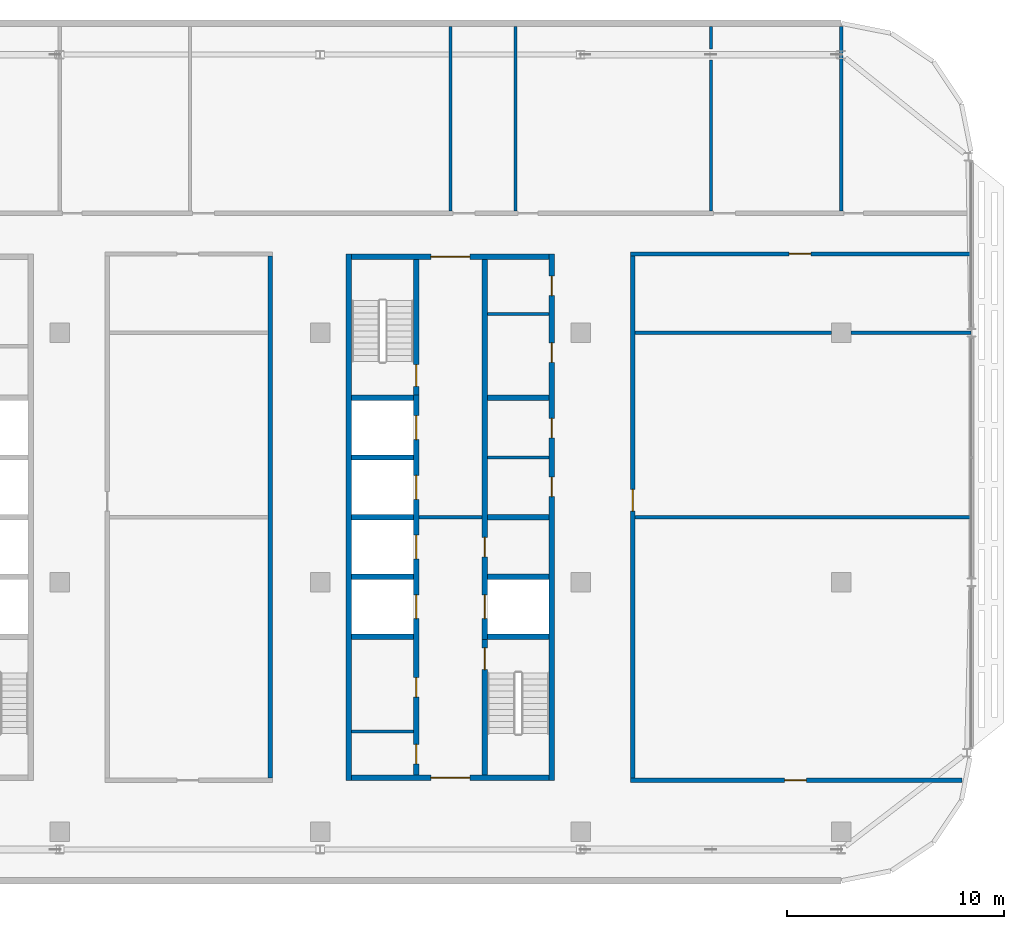
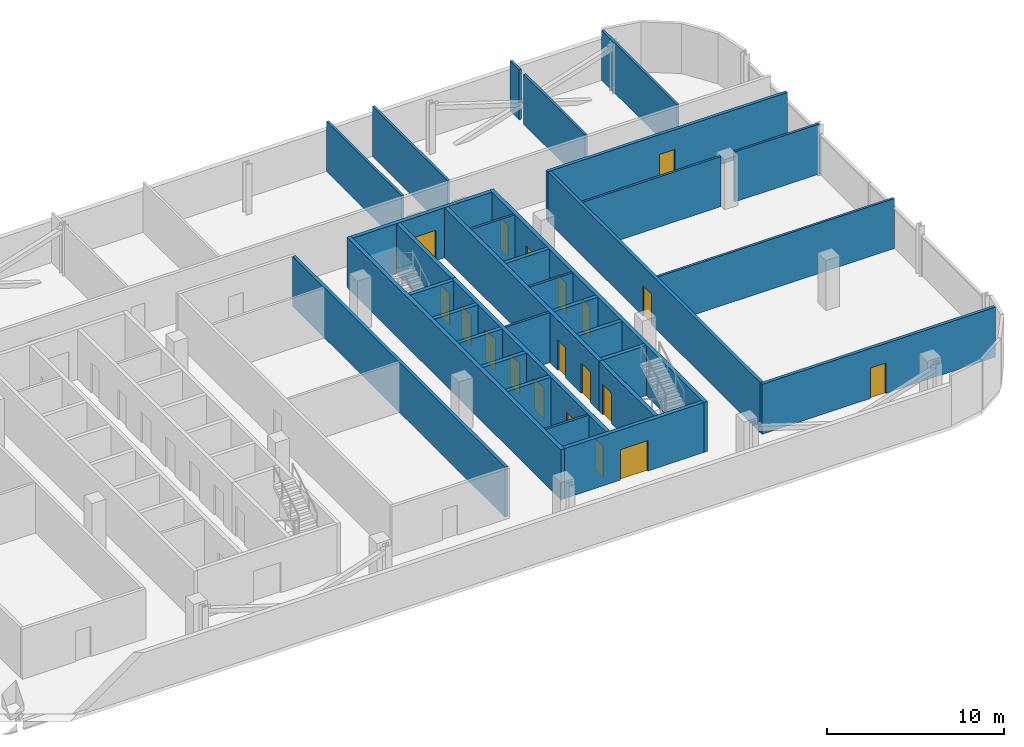
# One storey, part 18 of 28: 33 walls, 19 doors, 19 openings.
"""IFC4 building model written with IfcOpenShell, lengths in metres."""

from ifc_helpers import new_model, si_unit, direction, frame, frame_2d, origin, place, context, subcontext, project, spatial, rectangle, extrude, material, layer, layer_set, type_object, element, fill, save


model = new_model("IFC4")

# Units and contexts
model_context = context("Model", 3, precision=1e-05, world=origin(), true_north=direction((0.0, 1.0)))
body_context = subcontext(model_context, "Body", "Model", "MODEL_VIEW")
ifc_project = project(units=[si_unit("LENGTHUNIT", "METRE"), si_unit("AREAUNIT", "SQUARE_METRE"), si_unit("VOLUMEUNIT", "CUBIC_METRE"), si_unit("PLANEANGLEUNIT", "RADIAN"), si_unit("MASSUNIT", "GRAM", prefix="KILO")], contexts=[model_context])

# Site, building, storey
site_placement = place(None, origin())
site = spatial("IfcSite", under=ifc_project, at=site_placement, CompositionType="ELEMENT")
building_placement = place(site_placement, origin())
building = spatial("IfcBuilding", under=site, at=building_placement, Name="Mahtab Terrace Research Tower", CompositionType="ELEMENT")
storey_placement = place(building_placement, frame((0.0, 0.0, 267.10009765625)))
storey = spatial("IfcBuildingStorey", under=building, at=storey_placement, Name="L65", CompositionType="ELEMENT", Elevation=267.10009765625)

# Walls
ifc_material_1 = material(Name="Gypsum board partition")
ifc_layer_1 = layer(ifc_material_1, 0.14990234375)
ifc_layer_set_1 = layer_set([ifc_layer_1], Name="Core partition 150")
wall_type_1 = type_object("IfcWallType", Name="Core partition 150", PredefinedType="PARTITIONING", material=ifc_layer_set_1)
wall_1_placement = place(storey_placement, frame((22.550048828125, 3.0, 0.0), z_axis=(0.0, 0.0, 1.0), x_axis=(1.0, 0.0, 0.0)))
element("IfcWall", 1, at=wall_1_placement, inside=storey, type_object=wall_type_1, Name="Core wall C ffl", PredefinedType="PARTITIONING", context=body_context, shape_type="SweptSolid", body=[
    extrude(rectangle(XDim=2.89990234375, YDim=0.14990234375, at=frame_2d((1.449951171875, 0.0))), origin(), (0.0, 0.0, 1.0), 3.4599609375),
])
for number, where, z_axis, x_axis, name in (
    (2, (25.699951171875, 5.75, 0.0), (0.0, 0.0, 1.0), (1.0, 0.0, 0.0), "Core wall C pEL275"),
    (3, (19.449951171875, -6.875, 0.0), (0.0, 0.0, 1.0), (1.0, 0.0, 0.0), "Core wall C pWS-988"),
    (4, (25.699951171875, 12.35498046875, 0.0), (0.0, 0.0, 1.0), (1.0, 0.0, 0.0), "Core wall C pEN936"),
):
    element("IfcWall", number, at=place(storey_placement, frame(where, z_axis=z_axis, x_axis=x_axis)), inside=storey, type_object=wall_type_1, Name=name, PredefinedType="PARTITIONING", context=body_context, shape_type="SweptSolid", body=[
        extrude(rectangle(XDim=2.85009765625, YDim=0.14990234375, at=frame_2d((1.425048828125, 0.0))), origin(), (0.0, 0.0, 1.0), 3.4599609375),
    ])
ifc_material_2 = material(Name="Concrete C70/85", Category="concrete")
ifc_layer_2 = layer(ifc_material_2, 0.25)
ifc_layer_set_2 = layer_set([ifc_layer_2], Name="Core wall 250")
wall_type_2 = type_object("IfcWallType", Name="Core wall 250", PredefinedType="SOLIDWALL", material=ifc_layer_set_2)
wall_2_placement = place(storey_placement, frame((19.324951171875, 15.125, 0.0), z_axis=(0.0, 0.0, 1.0), x_axis=(0.0, -1.0, 0.0)))
element("IfcWall", 5, at=wall_2_placement, inside=storey, type_object=wall_type_2, Name="Core wall C outerW", PredefinedType="SOLIDWALL", context=body_context, shape_type="SweptSolid", body=[
    extrude(rectangle(XDim=24.25, YDim=0.25, at=frame_2d((12.125, 0.0))), origin(), (0.0, 0.0, 1.0), 3.4599609375),
])

# Wall, openings, doors
wall_3_placement = place(storey_placement, frame((28.675048828125, -9.125, 0.0), z_axis=(0.0, 0.0, 1.0), x_axis=(0.0, 1.0, 0.0)))
wall_3 = element("IfcWall", 6, at=wall_3_placement, inside=storey, type_object=wall_type_2, Name="Core wall C outerE", PredefinedType="SOLIDWALL", context=body_context, shape_type="SweptSolid", body=[
    extrude(rectangle(XDim=24.25, YDim=0.25, at=frame_2d((12.125, 0.0))), origin(), (0.0, 0.0, 1.0), 3.4599609375),
])
opening_1_placement = place(wall_3_placement, frame((13.074951171875, 0.0, 0.0)))
opening_1 = element("IfcOpeningElement", 7, at=opening_1_placement, cuts=wall_3, Name="Opening C-R2", PredefinedType="OPENING", context=body_context, shape_type="SweptSolid", body=[
    extrude(rectangle(XDim=0.89990234375, YDim=2.10009765625, at=frame_2d((0.449951171875, 1.050048828125))), frame((0.0, 0.135009765625, 0.0), z_axis=(0.0, -1.0, 0.0), x_axis=(1.0, 0.0, 0.0)), (0.0, 0.0, 1.0), 0.27001953125),
])
opening_2_placement = place(wall_3_placement, frame((15.77490234375, 0.0, 0.0)))
opening_2 = element("IfcOpeningElement", 8, at=opening_2_placement, cuts=wall_3, Name="Opening C-R3", PredefinedType="OPENING", context=body_context, shape_type="SweptSolid", body=[
    extrude(rectangle(XDim=0.89990234375, YDim=2.10009765625, at=frame_2d((0.449951171875, 1.050048828125))), frame((0.0, 0.135009765625, 0.0), z_axis=(0.0, -1.0, 0.0), x_axis=(1.0, 0.0, 0.0)), (0.0, 0.0, 1.0), 0.27001953125),
])
opening_3_placement = place(wall_3_placement, frame((19.25244140625, 0.0, 0.0)))
opening_3 = element("IfcOpeningElement", 9, at=opening_3_placement, cuts=wall_3, Name="Opening C-R6", PredefinedType="OPENING", context=body_context, shape_type="SweptSolid", body=[
    extrude(rectangle(XDim=0.89990234375, YDim=2.10009765625, at=frame_2d((0.449951171875, 1.050048828125))), frame((0.0, 0.135009765625, 0.0), z_axis=(0.0, -1.0, 0.0), x_axis=(1.0, 0.0, 0.0)), (0.0, 0.0, 1.0), 0.27001953125),
])
opening_4_placement = place(wall_3_placement, frame((22.327392578125, 0.0, 0.0)))
opening_4 = element("IfcOpeningElement", 10, at=opening_4_placement, cuts=wall_3, Name="Opening C-R7", PredefinedType="OPENING", context=body_context, shape_type="SweptSolid", body=[
    extrude(rectangle(XDim=0.89990234375, YDim=2.10009765625, at=frame_2d((0.449951171875, 1.050048828125))), frame((0.0, 0.135009765625, 0.0), z_axis=(0.0, -1.0, 0.0), x_axis=(1.0, 0.0, 0.0)), (0.0, 0.0, 1.0), 0.27001953125),
])
ifc_material_3 = material(Name="Steel fire door", Category="steel")
door_type_1 = type_object("IfcDoorType", Name="Room door 900x2100 1 HR", OperationType="NOTDEFINED", PredefinedType="DOOR", material=ifc_material_3)
door_1_placement = place(opening_1_placement, origin())
door_1 = element("IfcDoor", 11, at=door_1_placement, inside=storey, type_object=door_type_1, Name="Document store door", OperationType="SINGLE_SWING_RIGHT", OverallHeight=2.10009765625, OverallWidth=0.89990234375, PredefinedType="DOOR", context=body_context, shape_type="SweptSolid", body=[
    extrude(rectangle(XDim=0.89990234375, YDim=2.10009765625, at=frame_2d((0.449951171875, 1.050048828125))), frame((0.0, 0.02490234375, 0.0), z_axis=(0.0, -1.0, 0.0), x_axis=(1.0, 0.0, 0.0)), (0.0, 0.0, 1.0), 0.050048828125),
])
fill(opening_1, door_1)
door_2_placement = place(opening_2_placement, origin())
door_2 = element("IfcDoor", 12, at=door_2_placement, inside=storey, type_object=door_type_1, Name="IT equipment room door", OperationType="SINGLE_SWING_LEFT", OverallHeight=2.10009765625, OverallWidth=0.89990234375, PredefinedType="DOOR", context=body_context, shape_type="SweptSolid", body=[
    extrude(rectangle(XDim=0.89990234375, YDim=2.10009765625, at=frame_2d((0.449951171875, 1.050048828125))), frame((0.0, 0.02490234375, 0.0), z_axis=(0.0, -1.0, 0.0), x_axis=(1.0, 0.0, 0.0)), (0.0, 0.0, 1.0), 0.050048828125),
])
fill(opening_2, door_2)
door_3_placement = place(opening_3_placement, origin())
door_3 = element("IfcDoor", 13, at=door_3_placement, inside=storey, type_object=door_type_1, Name="Pantry door", OperationType="SINGLE_SWING_RIGHT", OverallHeight=2.10009765625, OverallWidth=0.89990234375, PredefinedType="DOOR", context=body_context, shape_type="SweptSolid", body=[
    extrude(rectangle(XDim=0.89990234375, YDim=2.10009765625, at=frame_2d((0.449951171875, 1.050048828125))), frame((0.0, 0.02490234375, 0.0), z_axis=(0.0, -1.0, 0.0), x_axis=(1.0, 0.0, 0.0)), (0.0, 0.0, 1.0), 0.050048828125),
])
fill(opening_3, door_3)
door_4_placement = place(opening_4_placement, origin())
door_4 = element("IfcDoor", 14, at=door_4_placement, inside=storey, type_object=door_type_1, Name="Linen store door", OperationType="SINGLE_SWING_LEFT", OverallHeight=2.10009765625, OverallWidth=0.89990234375, PredefinedType="DOOR", context=body_context, shape_type="SweptSolid", body=[
    extrude(rectangle(XDim=0.89990234375, YDim=2.10009765625, at=frame_2d((0.449951171875, 1.050048828125))), frame((0.0, 0.02490234375, 0.0), z_axis=(0.0, -1.0, 0.0), x_axis=(1.0, 0.0, 0.0)), (0.0, 0.0, 1.0), 0.050048828125),
])
fill(opening_4, door_4)

# Wall, opening, door
wall_4_placement = place(storey_placement, frame((28.550048828125, -9.0, 0.0), z_axis=(0.0, 0.0, 1.0), x_axis=(-1.0, 0.0, 0.0)))
wall_4 = element("IfcWall", 15, at=wall_4_placement, inside=storey, type_object=wall_type_2, Name="Core wall C endS", PredefinedType="SOLIDWALL", context=body_context, shape_type="SweptSolid", body=[
    extrude(rectangle(XDim=9.10009765625, YDim=0.25, at=frame_2d((4.550048828125, 0.0))), origin(), (0.0, 0.0, 1.0), 3.4599609375),
])
opening_5_placement = place(wall_4_placement, frame((3.64990234375, 0.0, 0.0)))
opening_5 = element("IfcOpeningElement", 16, at=opening_5_placement, cuts=wall_4, Name="Opening C-S1", PredefinedType="OPENING", context=body_context, shape_type="SweptSolid", body=[
    extrude(rectangle(XDim=1.800048828125, YDim=2.10009765625, at=frame_2d((0.89990234375, 1.050048828125))), frame((0.0, 0.135009765625, 0.0), z_axis=(0.0, -1.0, 0.0), x_axis=(1.0, 0.0, 0.0)), (0.0, 0.0, 1.0), 0.27001953125),
])
door_type_2 = type_object("IfcDoorType", Name="Lobby double door 1800x2100 1 HR", OperationType="DOUBLE_DOOR_SINGLE_SWING", PredefinedType="DOOR", material=ifc_material_3)
door_5_placement = place(opening_5_placement, origin())
door_5 = element("IfcDoor", 17, at=door_5_placement, inside=storey, type_object=door_type_2, Name="Core entrance door C S", OperationType="DOUBLE_DOOR_SINGLE_SWING", OverallHeight=2.10009765625, OverallWidth=1.800048828125, PredefinedType="DOOR", context=body_context, shape_type="SweptSolid", body=[
    extrude(rectangle(XDim=1.800048828125, YDim=2.10009765625, at=frame_2d((0.89990234375, 1.050048828125))), frame((0.0, 0.02490234375, 0.0), z_axis=(0.0, -1.0, 0.0), x_axis=(1.0, 0.0, 0.0)), (0.0, 0.0, 1.0), 0.050048828125),
])
fill(opening_5, door_5)

wall_5_placement = place(storey_placement, frame((19.449951171875, 15.0, 0.0), z_axis=(0.0, 0.0, 1.0), x_axis=(1.0, 0.0, 0.0)))
wall_5 = element("IfcWall", 18, at=wall_5_placement, inside=storey, type_object=wall_type_2, Name="Core wall C endN", PredefinedType="SOLIDWALL", context=body_context, shape_type="SweptSolid", body=[
    extrude(rectangle(XDim=9.10009765625, YDim=0.25, at=frame_2d((4.550048828125, 0.0))), origin(), (0.0, 0.0, 1.0), 3.4599609375),
])
opening_6_placement = place(wall_5_placement, frame((3.64990234375, 0.0, 0.0)))
opening_6 = element("IfcOpeningElement", 19, at=opening_6_placement, cuts=wall_5, Name="Opening C-N1", PredefinedType="OPENING", context=body_context, shape_type="SweptSolid", body=[
    extrude(rectangle(XDim=1.800048828125, YDim=2.10009765625, at=frame_2d((0.89990234375, 1.050048828125))), frame((0.0, 0.135009765625, 0.0), z_axis=(0.0, -1.0, 0.0), x_axis=(1.0, 0.0, 0.0)), (0.0, 0.0, 1.0), 0.27001953125),
])
door_6_placement = place(opening_6_placement, origin())
door_6 = element("IfcDoor", 20, at=door_6_placement, inside=storey, type_object=door_type_2, Name="Core entrance door C N", OperationType="DOUBLE_DOOR_SINGLE_SWING", OverallHeight=2.10009765625, OverallWidth=1.800048828125, PredefinedType="DOOR", context=body_context, shape_type="SweptSolid", body=[
    extrude(rectangle(XDim=1.800048828125, YDim=2.10009765625, at=frame_2d((0.89990234375, 1.050048828125))), frame((0.0, 0.02490234375, 0.0), z_axis=(0.0, -1.0, 0.0), x_axis=(1.0, 0.0, 0.0)), (0.0, 0.0, 1.0), 0.050048828125),
])
fill(opening_6, door_6)

# Wall, openings, doors
wall_6_placement = place(storey_placement, frame((22.425048828125, -8.875, 0.0), z_axis=(0.0, 0.0, 1.0), x_axis=(0.0, 1.0, 0.0)))
wall_6 = element("IfcWall", 21, at=wall_6_placement, inside=storey, type_object=wall_type_2, Name="Core wall C innerWSL", PredefinedType="SOLIDWALL", context=body_context, shape_type="SweptSolid", body=[
    extrude(rectangle(XDim=17.5, YDim=0.25, at=frame_2d((8.75, 0.0))), origin(), (0.0, 0.0, 1.0), 3.4599609375),
])
opening_7_placement = place(wall_6_placement, frame((7.199951171875, 0.0, 0.0)))
opening_7 = element("IfcOpeningElement", 22, at=opening_7_placement, cuts=wall_6, Name="Opening LD17-L65", PredefinedType="OPENING", context=body_context, shape_type="SweptSolid", body=[
    extrude(rectangle(XDim=1.10009765625, YDim=2.10009765625, at=frame_2d((0.550048828125, 1.050048828125))), frame((0.0, 0.135009765625, 0.0), z_axis=(0.0, -1.0, 0.0), x_axis=(1.0, 0.0, 0.0)), (0.0, 0.0, 1.0), 0.27001953125),
])
opening_8_placement = place(wall_6_placement, frame((9.949951171875, 0.0, 0.0)))
opening_8 = element("IfcOpeningElement", 23, at=opening_8_placement, cuts=wall_6, Name="Opening LD18-L65", PredefinedType="OPENING", context=body_context, shape_type="SweptSolid", body=[
    extrude(rectangle(XDim=1.10009765625, YDim=2.10009765625, at=frame_2d((0.550048828125, 1.050048828125))), frame((0.0, 0.135009765625, 0.0), z_axis=(0.0, -1.0, 0.0), x_axis=(1.0, 0.0, 0.0)), (0.0, 0.0, 1.0), 0.27001953125),
])
opening_9_placement = place(wall_6_placement, frame((12.699951171875, 0.0, 0.0)))
opening_9 = element("IfcOpeningElement", 24, at=opening_9_placement, cuts=wall_6, Name="Opening LD19-L65", PredefinedType="OPENING", context=body_context, shape_type="SweptSolid", body=[
    extrude(rectangle(XDim=1.10009765625, YDim=2.10009765625, at=frame_2d((0.550048828125, 1.050048828125))), frame((0.0, 0.135009765625, 0.0), z_axis=(0.0, -1.0, 0.0), x_axis=(1.0, 0.0, 0.0)), (0.0, 0.0, 1.0), 0.27001953125),
])
opening_10_placement = place(wall_6_placement, frame((15.449951171875, 0.0, 0.0)))
opening_10 = element("IfcOpeningElement", 25, at=opening_10_placement, cuts=wall_6, Name="Opening LD20-L65", PredefinedType="OPENING", context=body_context, shape_type="SweptSolid", body=[
    extrude(rectangle(XDim=1.10009765625, YDim=2.10009765625, at=frame_2d((0.550048828125, 1.050048828125))), frame((0.0, 0.135009765625, 0.0), z_axis=(0.0, -1.0, 0.0), x_axis=(1.0, 0.0, 0.0)), (0.0, 0.0, 1.0), 0.27001953125),
])
opening_11_placement = place(wall_6_placement, frame((0.512451171875, 0.0, 0.0)))
opening_11 = element("IfcOpeningElement", 26, at=opening_11_placement, cuts=wall_6, Name="Opening C-R4", PredefinedType="OPENING", context=body_context, shape_type="SweptSolid", body=[
    extrude(rectangle(XDim=0.89990234375, YDim=2.10009765625, at=frame_2d((0.449951171875, 1.050048828125))), frame((0.0, 0.135009765625, 0.0), z_axis=(0.0, -1.0, 0.0), x_axis=(1.0, 0.0, 0.0)), (0.0, 0.0, 1.0), 0.27001953125),
])
opening_12_placement = place(wall_6_placement, frame((3.58740234375, 0.0, 0.0)))
opening_12 = element("IfcOpeningElement", 27, at=opening_12_placement, cuts=wall_6, Name="Opening C-R5", PredefinedType="OPENING", context=body_context, shape_type="SweptSolid", body=[
    extrude(rectangle(XDim=0.89990234375, YDim=2.10009765625, at=frame_2d((0.449951171875, 1.050048828125))), frame((0.0, 0.135009765625, 0.0), z_axis=(0.0, -1.0, 0.0), x_axis=(1.0, 0.0, 0.0)), (0.0, 0.0, 1.0), 0.27001953125),
])
ifc_material_4 = material(Name="Stainless steel AISI 304", Category="steel")
door_type_3 = type_object("IfcDoorType", Name="Landing door 1100x2100", OperationType="DOUBLE_DOOR_SLIDING", PredefinedType="DOOR", material=ifc_material_4)
door_7_placement = place(opening_7_placement, origin())
door_7 = element("IfcDoor", 28, at=door_7_placement, inside=storey, type_object=door_type_3, Name="Landing door SV1 L65", OperationType="DOUBLE_DOOR_SLIDING", OverallHeight=2.10009765625, OverallWidth=1.10009765625, PredefinedType="DOOR", context=body_context, shape_type="SweptSolid", body=[
    extrude(rectangle(XDim=1.10009765625, YDim=2.10009765625, at=frame_2d((0.550048828125, 1.050048828125))), frame((0.0, 0.02490234375, 0.0), z_axis=(0.0, -1.0, 0.0), x_axis=(1.0, 0.0, 0.0)), (0.0, 0.0, 1.0), 0.050048828125),
])
fill(opening_7, door_7)
door_8_placement = place(opening_8_placement, origin())
door_8 = element("IfcDoor", 29, at=door_8_placement, inside=storey, type_object=door_type_3, Name="Landing door SV2 L65", OperationType="DOUBLE_DOOR_SLIDING", OverallHeight=2.10009765625, OverallWidth=1.10009765625, PredefinedType="DOOR", context=body_context, shape_type="SweptSolid", body=[
    extrude(rectangle(XDim=1.10009765625, YDim=2.10009765625, at=frame_2d((0.550048828125, 1.050048828125))), frame((0.0, 0.02490234375, 0.0), z_axis=(0.0, -1.0, 0.0), x_axis=(1.0, 0.0, 0.0)), (0.0, 0.0, 1.0), 0.050048828125),
])
fill(opening_8, door_8)
door_9_placement = place(opening_9_placement, origin())
door_9 = element("IfcDoor", 30, at=door_9_placement, inside=storey, type_object=door_type_3, Name="Landing door FF1 L65", OperationType="DOUBLE_DOOR_SLIDING", OverallHeight=2.10009765625, OverallWidth=1.10009765625, PredefinedType="DOOR", context=body_context, shape_type="SweptSolid", body=[
    extrude(rectangle(XDim=1.10009765625, YDim=2.10009765625, at=frame_2d((0.550048828125, 1.050048828125))), frame((0.0, 0.02490234375, 0.0), z_axis=(0.0, -1.0, 0.0), x_axis=(1.0, 0.0, 0.0)), (0.0, 0.0, 1.0), 0.050048828125),
])
fill(opening_9, door_9)
door_10_placement = place(opening_10_placement, origin())
door_10 = element("IfcDoor", 31, at=door_10_placement, inside=storey, type_object=door_type_3, Name="Landing door FF2 L65", OperationType="DOUBLE_DOOR_SLIDING", OverallHeight=2.10009765625, OverallWidth=1.10009765625, PredefinedType="DOOR", context=body_context, shape_type="SweptSolid", body=[
    extrude(rectangle(XDim=1.10009765625, YDim=2.10009765625, at=frame_2d((0.550048828125, 1.050048828125))), frame((0.0, 0.02490234375, 0.0), z_axis=(0.0, -1.0, 0.0), x_axis=(1.0, 0.0, 0.0)), (0.0, 0.0, 1.0), 0.050048828125),
])
fill(opening_10, door_10)
door_11_placement = place(opening_11_placement, origin())
door_11 = element("IfcDoor", 32, at=door_11_placement, inside=storey, type_object=door_type_1, Name="Accessible WC door", OperationType="SINGLE_SWING_RIGHT", OverallHeight=2.10009765625, OverallWidth=0.89990234375, PredefinedType="DOOR", context=body_context, shape_type="SweptSolid", body=[
    extrude(rectangle(XDim=0.89990234375, YDim=2.10009765625, at=frame_2d((0.449951171875, 1.050048828125))), frame((0.0, 0.02490234375, 0.0), z_axis=(0.0, -1.0, 0.0), x_axis=(1.0, 0.0, 0.0)), (0.0, 0.0, 1.0), 0.050048828125),
])
fill(opening_11, door_11)
door_12_placement = place(opening_12_placement, origin())
door_12 = element("IfcDoor", 33, at=door_12_placement, inside=storey, type_object=door_type_1, Name="WC block door", OperationType="SINGLE_SWING_LEFT", OverallHeight=2.10009765625, OverallWidth=0.89990234375, PredefinedType="DOOR", context=body_context, shape_type="SweptSolid", body=[
    extrude(rectangle(XDim=0.89990234375, YDim=2.10009765625, at=frame_2d((0.449951171875, 1.050048828125))), frame((0.0, 0.02490234375, 0.0), z_axis=(0.0, -1.0, 0.0), x_axis=(1.0, 0.0, 0.0)), (0.0, 0.0, 1.0), 0.050048828125),
])
fill(opening_12, door_12)

# Wall, opening, door
wall_7_placement = place(storey_placement, frame((22.425048828125, 14.875, 0.0), z_axis=(0.0, 0.0, 1.0), x_axis=(0.0, -1.0, 0.0)))
wall_7 = element("IfcWall", 34, at=wall_7_placement, inside=storey, type_object=wall_type_2, Name="Core wall C innerWN", PredefinedType="SOLIDWALL", context=body_context, shape_type="SweptSolid", body=[
    extrude(rectangle(XDim=6.25, YDim=0.25, at=frame_2d((3.125, 0.0))), origin(), (0.0, 0.0, 1.0), 3.4599609375),
])
opening_13_placement = place(wall_7_placement, frame((4.85009765625, 0.0, 0.0)))
opening_13 = element("IfcOpeningElement", 35, at=opening_13_placement, cuts=wall_7, Name="Opening C-ST3", PredefinedType="OPENING", context=body_context, shape_type="SweptSolid", body=[
    extrude(rectangle(XDim=1.0, YDim=2.10009765625, at=frame_2d((0.5, 1.050048828125))), frame((0.0, 0.135009765625, 0.0), z_axis=(0.0, -1.0, 0.0), x_axis=(1.0, 0.0, 0.0)), (0.0, 0.0, 1.0), 0.27001953125),
])
door_type_4 = type_object("IfcDoorType", Name="Stair door 1000x2100 1.5 HR", OperationType="NOTDEFINED", PredefinedType="DOOR", material=ifc_material_3)
door_13_placement = place(opening_13_placement, origin())
door_13 = element("IfcDoor", 36, at=door_13_placement, inside=storey, type_object=door_type_4, Name="Stair door ST3 L65", OperationType="SINGLE_SWING_RIGHT", OverallHeight=2.10009765625, OverallWidth=1.0, PredefinedType="DOOR", context=body_context, shape_type="SweptSolid", body=[
    extrude(rectangle(XDim=1.0, YDim=2.10009765625, at=frame_2d((0.5, 1.050048828125))), frame((0.0, 0.02490234375, 0.0), z_axis=(0.0, -1.0, 0.0), x_axis=(1.0, 0.0, 0.0)), (0.0, 0.0, 1.0), 0.050048828125),
])
fill(opening_13, door_13)

wall_8_placement = place(storey_placement, frame((25.574951171875, -8.875, 0.0), z_axis=(0.0, 0.0, 1.0), x_axis=(0.0, 1.0, 0.0)))
wall_8 = element("IfcWall", 37, at=wall_8_placement, inside=storey, type_object=wall_type_2, Name="Core wall C innerES", PredefinedType="SOLIDWALL", context=body_context, shape_type="SweptSolid", body=[
    extrude(rectangle(XDim=6.25, YDim=0.25, at=frame_2d((3.125, 0.0))), origin(), (0.0, 0.0, 1.0), 3.4599609375),
])
opening_14_placement = place(wall_8_placement, frame((4.85009765625, 0.0, 0.0)))
opening_14 = element("IfcOpeningElement", 38, at=opening_14_placement, cuts=wall_8, Name="Opening C-ST4", PredefinedType="OPENING", context=body_context, shape_type="SweptSolid", body=[
    extrude(rectangle(XDim=1.0, YDim=2.10009765625, at=frame_2d((0.5, 1.050048828125))), frame((0.0, 0.135009765625, 0.0), z_axis=(0.0, -1.0, 0.0), x_axis=(1.0, 0.0, 0.0)), (0.0, 0.0, 1.0), 0.27001953125),
])
door_14_placement = place(opening_14_placement, origin())
door_14 = element("IfcDoor", 39, at=door_14_placement, inside=storey, type_object=door_type_4, Name="Stair door ST4 L65", OperationType="SINGLE_SWING_LEFT", OverallHeight=2.10009765625, OverallWidth=1.0, PredefinedType="DOOR", context=body_context, shape_type="SweptSolid", body=[
    extrude(rectangle(XDim=1.0, YDim=2.10009765625, at=frame_2d((0.5, 1.050048828125))), frame((0.0, 0.02490234375, 0.0), z_axis=(0.0, -1.0, 0.0), x_axis=(1.0, 0.0, 0.0)), (0.0, 0.0, 1.0), 0.050048828125),
])
fill(opening_14, door_14)

# Wall, openings, doors
wall_9_placement = place(storey_placement, frame((25.574951171875, 14.875, 0.0), z_axis=(0.0, 0.0, 1.0), x_axis=(0.0, -1.0, 0.0)))
wall_9 = element("IfcWall", 40, at=wall_9_placement, inside=storey, type_object=wall_type_2, Name="Core wall C innerELN", PredefinedType="SOLIDWALL", context=body_context, shape_type="SweptSolid", body=[
    extrude(rectangle(XDim=17.5, YDim=0.25, at=frame_2d((8.75, 0.0))), origin(), (0.0, 0.0, 1.0), 3.4599609375),
])
opening_15_placement = place(wall_9_placement, frame((15.449951171875, 0.0, 0.0)))
opening_15 = element("IfcOpeningElement", 41, at=opening_15_placement, cuts=wall_9, Name="Opening LD21-L65", PredefinedType="OPENING", context=body_context, shape_type="SweptSolid", body=[
    extrude(rectangle(XDim=1.10009765625, YDim=2.10009765625, at=frame_2d((0.550048828125, 1.050048828125))), frame((0.0, 0.135009765625, 0.0), z_axis=(0.0, -1.0, 0.0), x_axis=(1.0, 0.0, 0.0)), (0.0, 0.0, 1.0), 0.27001953125),
])
opening_16_placement = place(wall_9_placement, frame((12.800048828125, 0.0, 0.0)))
opening_16 = element("IfcOpeningElement", 42, at=opening_16_placement, cuts=wall_9, Name="Opening C-R1", PredefinedType="OPENING", context=body_context, shape_type="SweptSolid", body=[
    extrude(rectangle(XDim=0.89990234375, YDim=2.10009765625, at=frame_2d((0.449951171875, 1.050048828125))), frame((0.0, 0.135009765625, 0.0), z_axis=(0.0, -1.0, 0.0), x_axis=(1.0, 0.0, 0.0)), (0.0, 0.0, 1.0), 0.27001953125),
])
door_15_placement = place(opening_15_placement, origin())
door_15 = element("IfcDoor", 43, at=door_15_placement, inside=storey, type_object=door_type_3, Name="Landing door SV3 L65", OperationType="DOUBLE_DOOR_SLIDING", OverallHeight=2.10009765625, OverallWidth=1.10009765625, PredefinedType="DOOR", context=body_context, shape_type="SweptSolid", body=[
    extrude(rectangle(XDim=1.10009765625, YDim=2.10009765625, at=frame_2d((0.550048828125, 1.050048828125))), frame((0.0, 0.02490234375, 0.0), z_axis=(0.0, -1.0, 0.0), x_axis=(1.0, 0.0, 0.0)), (0.0, 0.0, 1.0), 0.050048828125),
])
fill(opening_15, door_15)
door_16_placement = place(opening_16_placement, origin())
door_16 = element("IfcDoor", 44, at=door_16_placement, inside=storey, type_object=door_type_1, Name="Plant room door", OperationType="SINGLE_SWING_LEFT", OverallHeight=2.10009765625, OverallWidth=0.89990234375, PredefinedType="DOOR", context=body_context, shape_type="SweptSolid", body=[
    extrude(rectangle(XDim=0.89990234375, YDim=2.10009765625, at=frame_2d((0.449951171875, 1.050048828125))), frame((0.0, 0.02490234375, 0.0), z_axis=(0.0, -1.0, 0.0), x_axis=(1.0, 0.0, 0.0)), (0.0, 0.0, 1.0), 0.050048828125),
])
fill(opening_16, door_16)

# Walls
for number, where, z_axis, x_axis, name in (
    (45, (19.449951171875, -2.5, 0.0), (0.0, 0.0, 1.0), (1.0, 0.0, 0.0), "Core wall C divW0"),
    (46, (19.449951171875, 0.25, 0.0), (0.0, 0.0, 1.0), (1.0, 0.0, 0.0), "Core wall C divW1"),
    (47, (19.449951171875, 3.0, 0.0), (0.0, 0.0, 1.0), (1.0, 0.0, 0.0), "Core wall C divW2"),
    (48, (19.449951171875, 5.75, 0.0), (0.0, 0.0, 1.0), (1.0, 0.0, 0.0), "Core wall C divW3"),
    (49, (19.449951171875, 8.5, 0.0), (0.0, 0.0, 1.0), (1.0, 0.0, 0.0), "Core wall C divW4"),
    (50, (25.699951171875, -2.5, 0.0), (0.0, 0.0, 1.0), (1.0, 0.0, 0.0), "Core wall C divE0"),
    (51, (25.699951171875, 0.25, 0.0), (0.0, 0.0, 1.0), (1.0, 0.0, 0.0), "Core wall C divE1"),
    (52, (25.699951171875, 3.0, 0.0), (0.0, 0.0, 1.0), (1.0, 0.0, 0.0), "Core wall C divE2"),
    (53, (25.699951171875, 8.5, 0.0), (0.0, 0.0, 1.0), (1.0, 0.0, 0.0), "Core wall C divE4"),
):
    element("IfcWall", number, at=place(storey_placement, frame(where, z_axis=z_axis, x_axis=x_axis)), inside=storey, type_object=wall_type_2, Name=name, PredefinedType="SOLIDWALL", context=body_context, shape_type="SweptSolid", body=[
        extrude(rectangle(XDim=2.85009765625, YDim=0.25, at=frame_2d((1.425048828125, 0.0))), origin(), (0.0, 0.0, 1.0), 3.4599609375),
    ])

# Wall, opening, door
ifc_material_5 = material(Name="Gypsum board corridor wall on steel studs", Category="steel")
ifc_layer_3 = layer(ifc_material_5, 0.199951171875)
ifc_layer_set_3 = layer_set([ifc_layer_3], Name="WALL CORRIDOR 200")
wall_type_3 = type_object("IfcWallType", Name="WALL CORRIDOR 200", PredefinedType="PARTITIONING", material=ifc_layer_set_3)
wall_10_placement = place(storey_placement, frame((32.300048828125, -9.125, 0.0), z_axis=(0.0, 0.0, 1.0), x_axis=(1.0, 0.0, 0.0)))
wall_10 = element("IfcWall", 54, at=wall_10_placement, inside=storey, type_object=wall_type_3, Name="L65-W004", PredefinedType="PARTITIONING", context=body_context, shape_type="SweptSolid", body=[
    extrude(rectangle(XDim=15.273681640625, YDim=0.199951171875, at=frame_2d((7.63671875, 0.0))), origin(), (0.0, 0.0, 1.0), 3.4599609375),
])
opening_17_placement = place(wall_10_placement, frame((7.10009765625, 0.0, 0.0)))
opening_17 = element("IfcOpeningElement", 55, at=opening_17_placement, cuts=wall_10, Name="Opening L65-104", PredefinedType="OPENING", context=body_context, shape_type="SweptSolid", body=[
    extrude(rectangle(XDim=1.0, YDim=2.10009765625, at=frame_2d((0.5, 1.050048828125))), frame((0.0, 0.10986328125, 0.0), z_axis=(0.0, -1.0, 0.0), x_axis=(1.0, 0.0, 0.0)), (0.0, 0.0, 1.0), 0.219970703125),
])
ifc_material_6 = material(Name="Timber door leaf in steel frame", Category="steel")
door_type_5 = type_object("IfcDoorType", Name="DOOR 1000X2100 FD30S", OperationType="SINGLE_SWING_LEFT", PredefinedType="DOOR", material=ifc_material_6)
door_17_placement = place(opening_17_placement, origin())
door_17 = element("IfcDoor", 56, at=door_17_placement, inside=storey, type_object=door_type_5, Name="Door L65-104", OperationType="SINGLE_SWING_LEFT", OverallHeight=2.10009765625, OverallWidth=1.0, PredefinedType="DOOR", context=body_context, shape_type="SweptSolid", body=[
    extrude(rectangle(XDim=1.0, YDim=2.10009765625, at=frame_2d((0.5, 1.050048828125))), frame((0.0, 0.02490234375, 0.0), z_axis=(0.0, -1.0, 0.0), x_axis=(1.0, 0.0, 0.0)), (0.0, 0.0, 1.0), 0.050048828125),
])
fill(opening_17, door_17)

wall_11_placement = place(storey_placement, frame((32.300048828125, 15.125, 0.0), z_axis=(0.0, 0.0, 1.0), x_axis=(1.0, 0.0, 0.0)))
wall_11 = element("IfcWall", 57, at=wall_11_placement, inside=storey, type_object=wall_type_3, Name="L65-W018", PredefinedType="PARTITIONING", context=body_context, shape_type="SweptSolid", body=[
    extrude(rectangle(XDim=15.675048828125, YDim=0.199951171875, at=frame_2d((7.83740234375, 0.0))), origin(), (0.0, 0.0, 1.0), 3.4599609375),
])
opening_18_placement = place(wall_11_placement, frame((7.300048828125, 0.0, 0.0)))
opening_18 = element("IfcOpeningElement", 58, at=opening_18_placement, cuts=wall_11, Name="Opening L65-112", PredefinedType="OPENING", context=body_context, shape_type="SweptSolid", body=[
    extrude(rectangle(XDim=1.0, YDim=2.10009765625, at=frame_2d((0.5, 1.050048828125))), frame((0.0, 0.10986328125, 0.0), z_axis=(0.0, -1.0, 0.0), x_axis=(1.0, 0.0, 0.0)), (0.0, 0.0, 1.0), 0.219970703125),
])
door_18_placement = place(opening_18_placement, origin())
door_18 = element("IfcDoor", 59, at=door_18_placement, inside=storey, type_object=door_type_5, Name="Door L65-112", OperationType="SINGLE_SWING_LEFT", OverallHeight=2.10009765625, OverallWidth=1.0, PredefinedType="DOOR", context=body_context, shape_type="SweptSolid", body=[
    extrude(rectangle(XDim=1.0, YDim=2.10009765625, at=frame_2d((0.5, 1.050048828125))), frame((0.0, 0.02490234375, 0.0), z_axis=(0.0, -1.0, 0.0), x_axis=(1.0, 0.0, 0.0)), (0.0, 0.0, 1.0), 0.050048828125),
])
fill(opening_18, door_18)

# Wall
wall_12_placement = place(storey_placement, frame((15.699951171875, -9.02490234375, 0.0), z_axis=(0.0, 0.0, 1.0), x_axis=(0.0, 1.0, 0.0)))
element("IfcWall", 60, at=wall_12_placement, inside=storey, type_object=wall_type_3, Name="L65-W034", PredefinedType="PARTITIONING", context=body_context, shape_type="SweptSolid", body=[
    extrude(rectangle(XDim=24.0498046875, YDim=0.199951171875, at=frame_2d((12.02490234375, 0.0))), origin(), (0.0, 0.0, 1.0), 3.4599609375),
])

# Wall, opening, door
wall_13_placement = place(storey_placement, frame((32.39990234375, -9.02490234375, 0.0), z_axis=(0.0, 0.0, 1.0), x_axis=(0.0, 1.0, 0.0)))
wall_13 = element("IfcWall", 61, at=wall_13_placement, inside=storey, type_object=wall_type_3, Name="L65-W037", PredefinedType="PARTITIONING", context=body_context, shape_type="SweptSolid", body=[
    extrude(rectangle(XDim=24.0498046875, YDim=0.199951171875, at=frame_2d((12.02490234375, 0.0))), origin(), (0.0, 0.0, 1.0), 3.4599609375),
])
opening_19_placement = place(wall_13_placement, frame((12.300048828125, 0.0, 0.0)))
opening_19 = element("IfcOpeningElement", 62, at=opening_19_placement, cuts=wall_13, Name="Opening L65-108", PredefinedType="OPENING", context=body_context, shape_type="SweptSolid", body=[
    extrude(rectangle(XDim=1.0, YDim=2.10009765625, at=frame_2d((0.5, 1.050048828125))), frame((0.0, 0.10986328125, 0.0), z_axis=(0.0, -1.0, 0.0), x_axis=(1.0, 0.0, 0.0)), (0.0, 0.0, 1.0), 0.219970703125),
])
door_19_placement = place(opening_19_placement, origin())
door_19 = element("IfcDoor", 63, at=door_19_placement, inside=storey, type_object=door_type_5, Name="Door L65-108", OperationType="SINGLE_SWING_LEFT", OverallHeight=2.10009765625, OverallWidth=1.0, PredefinedType="DOOR", context=body_context, shape_type="SweptSolid", body=[
    extrude(rectangle(XDim=1.0, YDim=2.10009765625, at=frame_2d((0.5, 1.050048828125))), frame((0.0, 0.02490234375, 0.0), z_axis=(0.0, -1.0, 0.0), x_axis=(1.0, 0.0, 0.0)), (0.0, 0.0, 1.0), 0.050048828125),
])
fill(opening_19, door_19)

# Walls
ifc_material_7 = material(Name="Gypsum board partition on steel studs", Category="steel")
ifc_layer_4 = layer(ifc_material_7, 0.14990234375)
ifc_layer_set_4 = layer_set([ifc_layer_4], Name="WALL PARTITION 150")
wall_type_4 = type_object("IfcWallType", Name="WALL PARTITION 150", PredefinedType="PARTITIONING", material=ifc_layer_set_4)
wall_14_placement = place(storey_placement, frame((32.5, 3.0, 0.0), z_axis=(0.0, 0.0, 1.0), x_axis=(1.0, 0.0, 0.0)))
element("IfcWall", 64, at=wall_14_placement, inside=storey, type_object=wall_type_4, Name="L65-W008", PredefinedType="PARTITIONING", context=body_context, shape_type="SweptSolid", body=[
    extrude(rectangle(XDim=15.47509765625, YDim=0.14990234375, at=frame_2d((7.737548828125, 0.0))), origin(), (0.0, 0.0, 1.0), 3.4599609375),
])
wall_15_placement = place(storey_placement, frame((32.5, 11.5, 0.0), z_axis=(0.0, 0.0, 1.0), x_axis=(1.0, 0.0, 0.0)))
element("IfcWall", 65, at=wall_15_placement, inside=storey, type_object=wall_type_4, Name="L65-W013", PredefinedType="PARTITIONING", context=body_context, shape_type="SweptSolid", body=[
    extrude(rectangle(XDim=9.050048828125, YDim=0.14990234375, at=frame_2d((4.52490234375, 0.0))), origin(), (0.0, 0.0, 1.0), 3.4599609375),
])
wall_16_placement = place(storey_placement, frame((42.449951171875, 11.5, 0.0), z_axis=(0.0, 0.0, 1.0), x_axis=(1.0, 0.0, 0.0)))
element("IfcWall", 66, at=wall_16_placement, inside=storey, type_object=wall_type_4, Name="L65-W014", PredefinedType="PARTITIONING", context=body_context, shape_type="SweptSolid", body=[
    extrude(rectangle(XDim=5.525146484375, YDim=0.14990234375, at=frame_2d((2.7626953125, 0.0))), origin(), (0.0, 0.0, 1.0), 3.4599609375),
])
for number, where, z_axis, x_axis, name in (
    (67, (24.0, 17.10009765625, 0.0), (0.0, 0.0, 1.0), (0.0, 1.0, 0.0), "L65-W035"),
    (68, (27.0, 17.10009765625, 0.0), (0.0, 0.0, 1.0), (0.0, 1.0, 0.0), "L65-W036"),
):
    element("IfcWall", number, at=place(storey_placement, frame(where, z_axis=z_axis, x_axis=x_axis)), inside=storey, type_object=wall_type_4, Name=name, PredefinedType="PARTITIONING", context=body_context, shape_type="SweptSolid", body=[
        extrude(rectangle(XDim=8.5009765625, YDim=0.14990234375, at=frame_2d((4.25048828125, 0.0))), origin(), (0.0, 0.0, 1.0), 3.4599609375),
    ])
wall_17_placement = place(storey_placement, frame((36.0, 17.10009765625, 0.0), z_axis=(0.0, 0.0, 1.0), x_axis=(0.0, 1.0, 0.0)))
element("IfcWall", 69, at=wall_17_placement, inside=storey, type_object=wall_type_4, Name="L65-W038", PredefinedType="PARTITIONING", context=body_context, shape_type="SweptSolid", body=[
    extrude(rectangle(XDim=6.95458984375, YDim=0.14990234375, at=frame_2d((3.477294921875, 0.0))), origin(), (0.0, 0.0, 1.0), 3.4599609375),
])
wall_18_placement = place(storey_placement, frame((36.0, 24.559326171875, 0.0), z_axis=(0.0, 0.0, 1.0), x_axis=(0.0, 1.0, 0.0)))
element("IfcWall", 70, at=wall_18_placement, inside=storey, type_object=wall_type_4, Name="L65-W039", PredefinedType="PARTITIONING", context=body_context, shape_type="SweptSolid", body=[
    extrude(rectangle(XDim=1.041748046875, YDim=0.14990234375, at=frame_2d((0.52099609375, 0.0))), origin(), (0.0, 0.0, 1.0), 3.4599609375),
])
wall_19_placement = place(storey_placement, frame((42.0, 17.10009765625, 0.0), z_axis=(0.0, 0.0, 1.0), x_axis=(0.0, 1.0, 0.0)))
element("IfcWall", 71, at=wall_19_placement, inside=storey, type_object=wall_type_4, Name="L65-W040", PredefinedType="PARTITIONING", context=body_context, shape_type="SweptSolid", body=[
    extrude(rectangle(XDim=8.498046875, YDim=0.14990234375, at=frame_2d((4.2490234375, 0.0))), origin(), (0.0, 0.0, 1.0), 3.4599609375),
])

save(model, "model.ifc")
